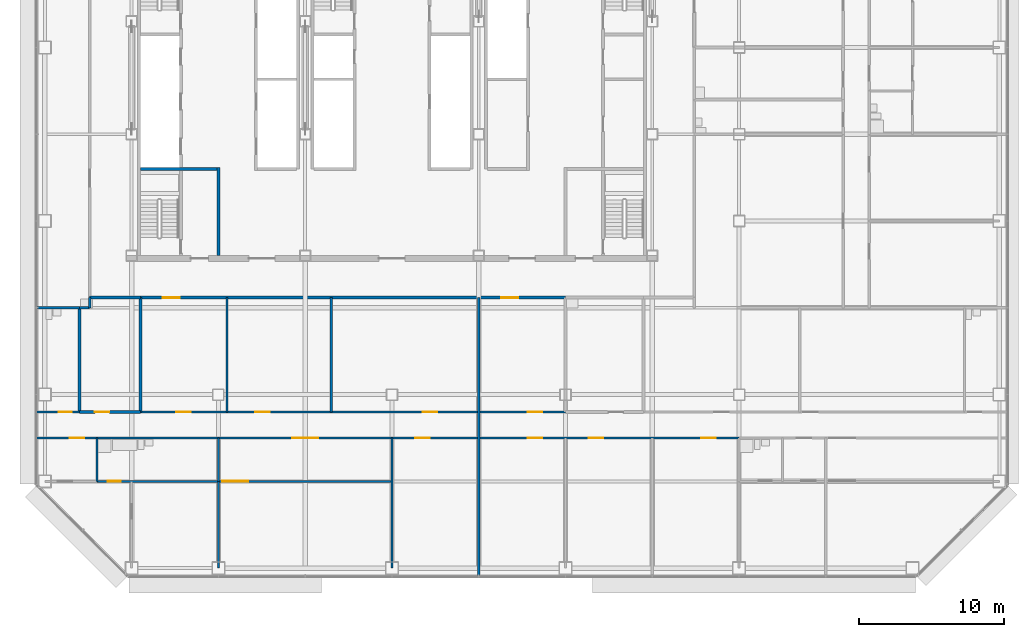
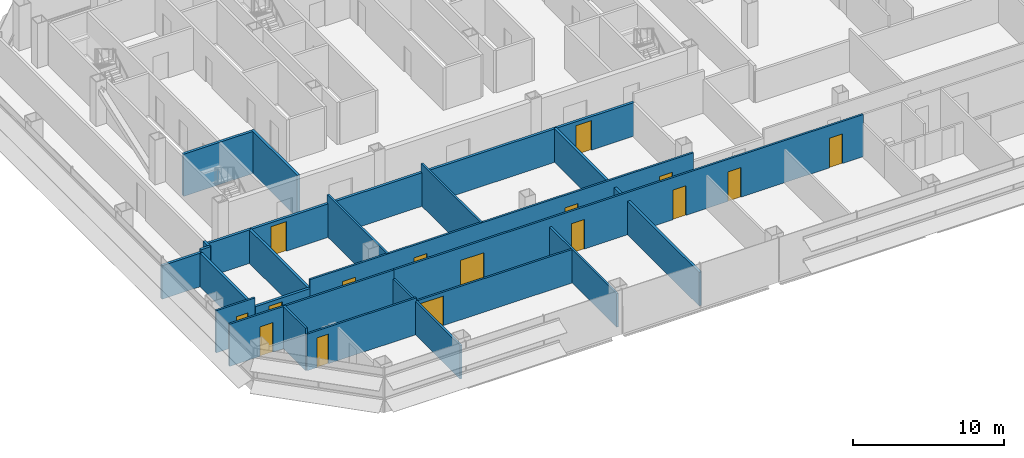
# One storey, part 20 of 27: 24 walls, 16 doors, 16 openings.
"""IFC4 building model written with IfcOpenShell, lengths in metres."""

from ifc_helpers import new_model, si_unit, direction, frame, frame_2d, origin, place, context, subcontext, project, spatial, rectangle, extrude, material, layer, layer_set, type_object, element, fill, save


model = new_model("IFC4")

# Units and contexts
model_context = context("Model", 3, precision=1e-05, world=origin(), true_north=direction((0.0, 1.0)))
body_context = subcontext(model_context, "Body", "Model", "MODEL_VIEW")
ifc_project = project(units=[si_unit("LENGTHUNIT", "METRE"), si_unit("AREAUNIT", "SQUARE_METRE"), si_unit("VOLUMEUNIT", "CUBIC_METRE"), si_unit("PLANEANGLEUNIT", "RADIAN"), si_unit("MASSUNIT", "GRAM", prefix="KILO")], contexts=[model_context])

# Site, building, storey
site_placement = place(None, origin())
site = spatial("IfcSite", under=ifc_project, at=site_placement, CompositionType="ELEMENT")
building_placement = place(site_placement, origin())
building = spatial("IfcBuilding", under=site, at=building_placement, Name="Sorahane Residences", CompositionType="ELEMENT")
storey_placement = place(building_placement, frame((0.0, 0.0, 78.60009765625)))
storey = spatial("IfcBuildingStorey", under=building, at=storey_placement, Name="L16", CompositionType="ELEMENT", Elevation=78.60009765625)

# Wall
ifc_material_1 = material(Name="Concrete blockwork C20 wall", Category="masonry")
ifc_layer_1 = layer(ifc_material_1, 0.199951171875)
ifc_layer_set_1 = layer_set([ifc_layer_1], Name="Corridor wall 200 EI 120")
wall_type_1 = type_object("IfcWallType", Name="Corridor wall 200 EI 120", PredefinedType="SOLIDWALL", material=ifc_layer_set_1)
wall_1_placement = place(storey_placement, frame((-0.60009765625, 18.0, 0.0), z_axis=(0.0, 0.0, 1.0), x_axis=(1.0, 0.0, 0.0)))
element("IfcWall", 1, at=wall_1_placement, inside=storey, type_object=wall_type_1, Name="L16 corridor wall", PredefinedType="SOLIDWALL", context=body_context, shape_type="SweptSolid", body=[
    extrude(rectangle(XDim=3.0, YDim=0.199951171875, at=frame_2d((1.5, 0.0))), origin(), (0.0, 0.0, 1.0), 2.719970703125),
])

# Wall, openings, doors
wall_2_placement = place(storey_placement, frame((6.60009765625, 18.699951171875, 0.0), z_axis=(0.0, 0.0, 1.0), x_axis=(1.0, 0.0, 0.0)))
wall_2 = element("IfcWall", 2, at=wall_2_placement, inside=storey, type_object=wall_type_1, Name="L16 corridor wall", PredefinedType="SOLIDWALL", context=body_context, shape_type="SweptSolid", body=[
    extrude(rectangle(XDim=29.39990234375, YDim=0.199951171875, at=frame_2d((14.699951171875, 0.0))), origin(), (0.0, 0.0, 1.0), 2.719970703125),
])
opening_1_placement = place(wall_2_placement, frame((1.5400390625, 0.0, 0.0)))
opening_1 = element("IfcOpeningElement", 3, at=opening_1_placement, cuts=wall_2, Name="Opening L16-38", PredefinedType="OPENING", context=body_context, shape_type="SweptSolid", body=[
    extrude(rectangle(XDim=1.199951171875, YDim=2.39990234375, at=frame_2d((0.60009765625, 1.199951171875))), frame((0.0, 0.10986328125, 0.0), z_axis=(0.0, -1.0, 0.0), x_axis=(1.0, 0.0, 0.0)), (0.0, 0.0, 1.0), 0.219970703125),
])
opening_2_placement = place(wall_2_placement, frame((24.93994140625, 0.0, 0.0)))
opening_2 = element("IfcOpeningElement", 4, at=opening_2_placement, cuts=wall_2, Name="Opening L16-39", PredefinedType="OPENING", context=body_context, shape_type="SweptSolid", body=[
    extrude(rectangle(XDim=1.199951171875, YDim=2.39990234375, at=frame_2d((0.60009765625, 1.199951171875))), frame((0.0, 0.10986328125, 0.0), z_axis=(0.0, -1.0, 0.0), x_axis=(1.0, 0.0, 0.0)), (0.0, 0.0, 1.0), 0.219970703125),
])
ifc_material_2 = material(Name="Timber veneered fire door", Category="wood")
door_type_1 = type_object("IfcDoorType", Name="Flat entrance door 1200x2400 FD60", OperationType="NOTDEFINED", PredefinedType="DOOR", material=ifc_material_2)
door_1_placement = place(opening_1_placement, frame((1.199951171875, 0.0, 0.0), z_axis=(0.0, 0.0, 1.0), x_axis=(-1.0, 0.0, 0.0)))
door_1 = element("IfcDoor", 5, at=door_1_placement, inside=storey, type_object=door_type_1, Name="Flat entrance door L16-38", OperationType="SINGLE_SWING_RIGHT", OverallHeight=2.39990234375, OverallWidth=1.199951171875, PredefinedType="DOOR", context=body_context, shape_type="SweptSolid", body=[
    extrude(rectangle(XDim=1.199951171875, YDim=2.39990234375, at=frame_2d((0.60009765625, 1.199951171875))), frame((0.0, 0.02490234375, 0.0), z_axis=(0.0, -1.0, 0.0), x_axis=(1.0, 0.0, 0.0)), (0.0, 0.0, 1.0), 0.050048828125),
])
fill(opening_1, door_1)
door_2_placement = place(opening_2_placement, frame((1.199951171875, 0.0, 0.0), z_axis=(0.0, 0.0, 1.0), x_axis=(-1.0, 0.0, 0.0)))
door_2 = element("IfcDoor", 6, at=door_2_placement, inside=storey, type_object=door_type_1, Name="Flat entrance door L16-39", OperationType="SINGLE_SWING_LEFT", OverallHeight=2.39990234375, OverallWidth=1.199951171875, PredefinedType="DOOR", context=body_context, shape_type="SweptSolid", body=[
    extrude(rectangle(XDim=1.199951171875, YDim=2.39990234375, at=frame_2d((0.60009765625, 1.199951171875))), frame((0.0, 0.02490234375, 0.0), z_axis=(0.0, -1.0, 0.0), x_axis=(1.0, 0.0, 0.0)), (0.0, 0.0, 1.0), 0.050048828125),
])
fill(opening_2, door_2)

# Walls
ifc_material_3 = material(Name="Concrete C30", Category="concrete")
ifc_layer_2 = layer(ifc_material_3, 0.199951171875)
ifc_layer_set_2 = layer_set([ifc_layer_2], Name="Front room wall 200 EI 120")
wall_type_2 = type_object("IfcWallType", Name="Front room wall 200 EI 120", PredefinedType="PARTITIONING", material=ifc_layer_set_2)
wall_3_placement = place(storey_placement, frame((12.0, 21.60009765625, 0.0), z_axis=(0.0, 0.0, 1.0), x_axis=(0.0, 1.0, 0.0)))
element("IfcWall", 7, at=wall_3_placement, inside=storey, type_object=wall_type_2, Name="L16 front room wall", PredefinedType="PARTITIONING", context=body_context, shape_type="SweptSolid", body=[
    extrude(rectangle(XDim=6.099853515625, YDim=0.199951171875, at=frame_2d((3.0498046875, 0.0))), origin(), (0.0, 0.0, 1.0), 3.419921875),
])
ifc_material_4 = material(Name="Concrete blockwork C20 wall", Category="masonry")
ifc_layer_3 = layer(ifc_material_4, 0.199951171875)
ifc_layer_set_3 = layer_set([ifc_layer_3], Name="Kitchen wall 200 EI 180")
wall_type_3 = type_object("IfcWallType", Name="Kitchen wall 200 EI 180", PredefinedType="SOLIDWALL", material=ifc_layer_set_3)
wall_4_placement = place(storey_placement, frame((2.39990234375, 10.800048828125, 0.0), z_axis=(0.0, 0.0, 1.0), x_axis=(0.0, 1.0, 0.0)))
element("IfcWall", 8, at=wall_4_placement, inside=storey, type_object=wall_type_3, Name="L16 kitchen wall", PredefinedType="SOLIDWALL", context=body_context, shape_type="SweptSolid", body=[
    extrude(rectangle(XDim=7.199951171875, YDim=0.199951171875, at=frame_2d((3.60009765625, 0.0))), origin(), (0.0, 0.0, 1.0), 2.719970703125),
])
wall_5_placement = place(storey_placement, frame((3.10009765625, 18.0, 0.0), z_axis=(0.0, 0.0, 1.0), x_axis=(0.0, 1.0, 0.0)))
element("IfcWall", 9, at=wall_5_placement, inside=storey, type_object=wall_type_3, Name="L16 kitchen wall", PredefinedType="SOLIDWALL", context=body_context, shape_type="SweptSolid", body=[
    extrude(rectangle(XDim=0.699951171875, YDim=0.199951171875, at=frame_2d((0.35009765625, 0.0))), origin(), (0.0, 0.0, 1.0), 2.969970703125),
])
wall_6_placement = place(storey_placement, frame((6.60009765625, 10.800048828125, 0.0), z_axis=(0.0, 0.0, 1.0), x_axis=(0.0, 1.0, 0.0)))
element("IfcWall", 10, at=wall_6_placement, inside=storey, type_object=wall_type_3, Name="L16 kitchen wall", PredefinedType="SOLIDWALL", context=body_context, shape_type="SweptSolid", body=[
    extrude(rectangle(XDim=7.89990234375, YDim=0.199951171875, at=frame_2d((3.949951171875, 0.0))), origin(), (0.0, 0.0, 1.0), 2.719970703125),
])

# Wall, opening, door
wall_7_placement = place(storey_placement, frame((2.39990234375, 10.800048828125, 0.0), z_axis=(0.0, 0.0, 1.0), x_axis=(1.0, 0.0, 0.0)))
wall_7 = element("IfcWall", 11, at=wall_7_placement, inside=storey, type_object=wall_type_3, Name="L16 kitchen wall", PredefinedType="SOLIDWALL", context=body_context, shape_type="SweptSolid", body=[
    extrude(rectangle(XDim=4.2001953125, YDim=0.199951171875, at=frame_2d((2.10009765625, 0.0))), origin(), (0.0, 0.0, 1.0), 2.719970703125),
])
opening_3_placement = place(wall_7_placement, frame((1.06005859375, 0.0, 0.0)))
opening_3 = element("IfcOpeningElement", 12, at=opening_3_placement, cuts=wall_7, Name="Opening L16-03", PredefinedType="OPENING", context=body_context, shape_type="SweptSolid", body=[
    extrude(rectangle(XDim=1.0, YDim=2.39990234375, at=frame_2d((0.5, 1.199951171875))), frame((0.0, 0.10986328125, 0.0), z_axis=(0.0, -1.0, 0.0), x_axis=(1.0, 0.0, 0.0)), (0.0, 0.0, 1.0), 0.219970703125),
])
ifc_material_5 = material(Name="Steel", Category="steel")
door_type_2 = type_object("IfcDoorType", Name="Kitchen door 1000x2400 FD120", OperationType="NOTDEFINED", PredefinedType="DOOR", material=ifc_material_5)
door_3_placement = place(opening_3_placement, origin())
door_3 = element("IfcDoor", 13, at=door_3_placement, inside=storey, type_object=door_type_2, Name="Kitchen door L16-03", OperationType="SINGLE_SWING_RIGHT", OverallHeight=2.39990234375, OverallWidth=1.0, PredefinedType="DOOR", context=body_context, shape_type="SweptSolid", body=[
    extrude(rectangle(XDim=1.0, YDim=2.39990234375, at=frame_2d((0.5, 1.199951171875))), frame((0.0, 0.02490234375, 0.0), z_axis=(0.0, -1.0, 0.0), x_axis=(1.0, 0.0, 0.0)), (0.0, 0.0, 1.0), 0.050048828125),
])
fill(opening_3, door_3)

# Walls
wall_8_placement = place(storey_placement, frame((2.39990234375, 18.0, 0.0), z_axis=(0.0, 0.0, 1.0), x_axis=(1.0, 0.0, 0.0)))
element("IfcWall", 14, at=wall_8_placement, inside=storey, type_object=wall_type_3, Name="L16 kitchen wall", PredefinedType="SOLIDWALL", context=body_context, shape_type="SweptSolid", body=[
    extrude(rectangle(XDim=0.7001953125, YDim=0.199951171875, at=frame_2d((0.35009765625, 0.0))), origin(), (0.0, 0.0, 1.0), 2.969970703125),
])
wall_9_placement = place(storey_placement, frame((3.10009765625, 18.699951171875, 0.0), z_axis=(0.0, 0.0, 1.0), x_axis=(1.0, 0.0, 0.0)))
element("IfcWall", 15, at=wall_9_placement, inside=storey, type_object=wall_type_3, Name="L16 kitchen wall", PredefinedType="SOLIDWALL", context=body_context, shape_type="SweptSolid", body=[
    extrude(rectangle(XDim=3.5, YDim=0.199951171875, at=frame_2d((1.75, 0.0))), origin(), (0.0, 0.0, 1.0), 2.719970703125),
])
ifc_material_6 = material(Name="Gypsum board partition on steel studs", Category="steel")
ifc_layer_4 = layer(ifc_material_6, 0.14990234375)
ifc_layer_set_4 = layer_set([ifc_layer_4], Name="Partition 150 EI 90")
wall_type_4 = type_object("IfcWallType", Name="Partition 150 EI 90", PredefinedType="PARTITIONING", material=ifc_layer_set_4)
wall_10_placement = place(storey_placement, frame((12.0, 0.0, 0.0), z_axis=(0.0, 0.0, 1.0), x_axis=(0.0, 1.0, 0.0)))
element("IfcWall", 16, at=wall_10_placement, inside=storey, type_object=wall_type_4, Name="L16 partition", PredefinedType="PARTITIONING", context=body_context, shape_type="SweptSolid", body=[
    extrude(rectangle(XDim=6.0, YDim=0.14990234375, at=frame_2d((3.0, 0.0))), origin(), (0.0, 0.0, 1.0), 2.719970703125),
])
for number, where, z_axis, x_axis, name in (
    (17, (12.60009765625, 10.800048828125, 0.0), (0.0, 0.0, 1.0), (0.0, 1.0, 0.0), "L16 partition"),
    (18, (19.800048828125, 10.800048828125, 0.0), (0.0, 0.0, 1.0), (0.0, 1.0, 0.0), "L16 partition"),
):
    element("IfcWall", number, at=place(storey_placement, frame(where, z_axis=z_axis, x_axis=x_axis)), inside=storey, type_object=wall_type_4, Name=name, PredefinedType="PARTITIONING", context=body_context, shape_type="SweptSolid", body=[
        extrude(rectangle(XDim=7.89990234375, YDim=0.14990234375, at=frame_2d((3.949951171875, 0.0))), origin(), (0.0, 0.0, 1.0), 3.419921875),
    ])
wall_11_placement = place(storey_placement, frame((24.0, 0.0, 0.0), z_axis=(0.0, 0.0, 1.0), x_axis=(0.0, 1.0, 0.0)))
element("IfcWall", 19, at=wall_11_placement, inside=storey, type_object=wall_type_4, Name="L16 partition", PredefinedType="PARTITIONING", context=body_context, shape_type="SweptSolid", body=[
    extrude(rectangle(XDim=9.0, YDim=0.14990234375, at=frame_2d((4.5, 0.0))), origin(), (0.0, 0.0, 1.0), 2.719970703125),
])

# Wall, openings, doors
wall_12_placement = place(storey_placement, frame((6.60009765625, 10.800048828125, 0.0), z_axis=(0.0, 0.0, 1.0), x_axis=(1.0, 0.0, 0.0)))
wall_12 = element("IfcWall", 20, at=wall_12_placement, inside=storey, type_object=wall_type_4, Name="L16 partition", PredefinedType="PARTITIONING", context=body_context, shape_type="SweptSolid", body=[
    extrude(rectangle(XDim=29.39990234375, YDim=0.14990234375, at=frame_2d((14.699951171875, 0.0))), origin(), (0.0, 0.0, 1.0), 3.419921875),
])
opening_4_placement = place(wall_12_placement, frame((2.5, 0.0, 0.0)))
opening_4 = element("IfcOpeningElement", 21, at=opening_4_placement, cuts=wall_12, Name="Opening L16-01", PredefinedType="OPENING", context=body_context, shape_type="SweptSolid", body=[
    extrude(rectangle(XDim=1.0, YDim=2.39990234375, at=frame_2d((0.5, 1.199951171875))), frame((0.0, 0.0849609375, 0.0), z_axis=(0.0, -1.0, 0.0), x_axis=(1.0, 0.0, 0.0)), (0.0, 0.0, 1.0), 0.169921875),
])
opening_5_placement = place(wall_12_placement, frame((7.9599609375, 0.0, 0.0)))
opening_5 = element("IfcOpeningElement", 22, at=opening_5_placement, cuts=wall_12, Name="Opening L16-04", PredefinedType="OPENING", context=body_context, shape_type="SweptSolid", body=[
    extrude(rectangle(XDim=1.0, YDim=2.39990234375, at=frame_2d((0.5, 1.199951171875))), frame((0.0, 0.0849609375, 0.0), z_axis=(0.0, -1.0, 0.0), x_axis=(1.0, 0.0, 0.0)), (0.0, 0.0, 1.0), 0.169921875),
])
opening_6_placement = place(wall_12_placement, frame((19.5400390625, 0.0, 0.0)))
opening_6 = element("IfcOpeningElement", 23, at=opening_6_placement, cuts=wall_12, Name="Opening L16-05", PredefinedType="OPENING", context=body_context, shape_type="SweptSolid", body=[
    extrude(rectangle(XDim=1.0, YDim=2.39990234375, at=frame_2d((0.5, 1.199951171875))), frame((0.0, 0.0849609375, 0.0), z_axis=(0.0, -1.0, 0.0), x_axis=(1.0, 0.0, 0.0)), (0.0, 0.0, 1.0), 0.169921875),
])
opening_7_placement = place(wall_12_placement, frame((26.800048828125, 0.0, 0.0)))
opening_7 = element("IfcOpeningElement", 24, at=opening_7_placement, cuts=wall_12, Name="Opening L16-13", PredefinedType="OPENING", context=body_context, shape_type="SweptSolid", body=[
    extrude(rectangle(XDim=1.0, YDim=2.39990234375, at=frame_2d((0.5, 1.199951171875))), frame((0.0, 0.0849609375, 0.0), z_axis=(0.0, -1.0, 0.0), x_axis=(1.0, 0.0, 0.0)), (0.0, 0.0, 1.0), 0.169921875),
])
ifc_material_7 = material(Name="Timber veneered fire door", Category="wood")
door_type_3 = type_object("IfcDoorType", Name="Room door 1000x2400 FD30", OperationType="NOTDEFINED", PredefinedType="DOOR", material=ifc_material_7)
door_4_placement = place(opening_4_placement, frame((1.0, 0.0, 0.0), z_axis=(0.0, 0.0, 1.0), x_axis=(-1.0, 0.0, 0.0)))
door_4 = element("IfcDoor", 25, at=door_4_placement, inside=storey, type_object=door_type_3, Name="Room door L16-01", OperationType="SINGLE_SWING_LEFT", OverallHeight=2.39990234375, OverallWidth=1.0, PredefinedType="DOOR", context=body_context, shape_type="SweptSolid", body=[
    extrude(rectangle(XDim=1.0, YDim=2.39990234375, at=frame_2d((0.5, 1.199951171875))), frame((0.0, 0.02490234375, 0.0), z_axis=(0.0, -1.0, 0.0), x_axis=(1.0, 0.0, 0.0)), (0.0, 0.0, 1.0), 0.050048828125),
])
fill(opening_4, door_4)
door_5_placement = place(opening_5_placement, origin())
door_5 = element("IfcDoor", 26, at=door_5_placement, inside=storey, type_object=door_type_3, Name="Room door L16-04", OperationType="SINGLE_SWING_RIGHT", OverallHeight=2.39990234375, OverallWidth=1.0, PredefinedType="DOOR", context=body_context, shape_type="SweptSolid", body=[
    extrude(rectangle(XDim=1.0, YDim=2.39990234375, at=frame_2d((0.5, 1.199951171875))), frame((0.0, 0.02490234375, 0.0), z_axis=(0.0, -1.0, 0.0), x_axis=(1.0, 0.0, 0.0)), (0.0, 0.0, 1.0), 0.050048828125),
])
fill(opening_5, door_5)
door_6_placement = place(opening_6_placement, origin())
door_6 = element("IfcDoor", 27, at=door_6_placement, inside=storey, type_object=door_type_3, Name="Room door L16-05", OperationType="SINGLE_SWING_LEFT", OverallHeight=2.39990234375, OverallWidth=1.0, PredefinedType="DOOR", context=body_context, shape_type="SweptSolid", body=[
    extrude(rectangle(XDim=1.0, YDim=2.39990234375, at=frame_2d((0.5, 1.199951171875))), frame((0.0, 0.02490234375, 0.0), z_axis=(0.0, -1.0, 0.0), x_axis=(1.0, 0.0, 0.0)), (0.0, 0.0, 1.0), 0.050048828125),
])
fill(opening_6, door_6)
door_7_placement = place(opening_7_placement, frame((1.0, 0.0, 0.0), z_axis=(0.0, 0.0, 1.0), x_axis=(-1.0, 0.0, 0.0)))
door_7 = element("IfcDoor", 28, at=door_7_placement, inside=storey, type_object=door_type_3, Name="Room door L16-13", OperationType="SINGLE_SWING_LEFT", OverallHeight=2.39990234375, OverallWidth=1.0, PredefinedType="DOOR", context=body_context, shape_type="SweptSolid", body=[
    extrude(rectangle(XDim=1.0, YDim=2.39990234375, at=frame_2d((0.5, 1.199951171875))), frame((0.0, 0.02490234375, 0.0), z_axis=(0.0, -1.0, 0.0), x_axis=(1.0, 0.0, 0.0)), (0.0, 0.0, 1.0), 0.050048828125),
])
fill(opening_7, door_7)

# Wall, opening, door
wall_13_placement = place(storey_placement, frame((12.0, 6.0, 0.0), z_axis=(0.0, 0.0, 1.0), x_axis=(1.0, 0.0, 0.0)))
wall_13 = element("IfcWall", 29, at=wall_13_placement, inside=storey, type_object=wall_type_4, Name="L16 partition", PredefinedType="PARTITIONING", context=body_context, shape_type="SweptSolid", body=[
    extrude(rectangle(XDim=12.0, YDim=0.14990234375, at=frame_2d((6.0, 0.0))), origin(), (0.0, 0.0, 1.0), 2.719970703125),
])
opening_8_placement = place(wall_13_placement, frame((0.25, 0.0, 0.0)))
opening_8 = element("IfcOpeningElement", 30, at=opening_8_placement, cuts=wall_13, Name="Opening L16-12", PredefinedType="OPENING", context=body_context, shape_type="SweptSolid", body=[
    extrude(rectangle(XDim=1.800048828125, YDim=2.39990234375, at=frame_2d((0.89990234375, 1.199951171875))), frame((0.0, 0.0849609375, 0.0), z_axis=(0.0, -1.0, 0.0), x_axis=(1.0, 0.0, 0.0)), (0.0, 0.0, 1.0), 0.169921875),
])
ifc_material_8 = material(Name="Timber veneered fire door", Category="wood")
door_type_4 = type_object("IfcDoorType", Name="Double door 1800x2400 FD30", OperationType="NOTDEFINED", PredefinedType="DOOR", material=ifc_material_8)
door_8_placement = place(opening_8_placement, frame((1.800048828125, 0.0, 0.0), z_axis=(0.0, 0.0, 1.0), x_axis=(-1.0, 0.0, 0.0)))
door_8 = element("IfcDoor", 31, at=door_8_placement, inside=storey, type_object=door_type_4, Name="Double door L16-12", OperationType="SINGLE_SWING_RIGHT", OverallHeight=2.39990234375, OverallWidth=1.800048828125, PredefinedType="DOOR", context=body_context, shape_type="SweptSolid", body=[
    extrude(rectangle(XDim=1.800048828125, YDim=2.39990234375, at=frame_2d((0.89990234375, 1.199951171875))), frame((0.0, 0.02490234375, 0.0), z_axis=(0.0, -1.0, 0.0), x_axis=(1.0, 0.0, 0.0)), (0.0, 0.0, 1.0), 0.050048828125),
])
fill(opening_8, door_8)

wall_14_placement = place(storey_placement, frame((-0.60009765625, 9.0, 0.0), z_axis=(0.0, 0.0, 1.0), x_axis=(1.0, 0.0, 0.0)))
wall_14 = element("IfcWall", 32, at=wall_14_placement, inside=storey, type_object=wall_type_4, Name="L16 partition", PredefinedType="PARTITIONING", context=body_context, shape_type="SweptSolid", body=[
    extrude(rectangle(XDim=4.2001953125, YDim=0.14990234375, at=frame_2d((2.10009765625, 0.0))), origin(), (0.0, 0.0, 1.0), 3.419921875),
])
opening_9_placement = place(wall_14_placement, frame((2.320068359375, 0.0, 0.0)))
opening_9 = element("IfcOpeningElement", 33, at=opening_9_placement, cuts=wall_14, Name="Opening L16-06", PredefinedType="OPENING", context=body_context, shape_type="SweptSolid", body=[
    extrude(rectangle(XDim=1.0, YDim=2.39990234375, at=frame_2d((0.5, 1.199951171875))), frame((0.0, 0.0849609375, 0.0), z_axis=(0.0, -1.0, 0.0), x_axis=(1.0, 0.0, 0.0)), (0.0, 0.0, 1.0), 0.169921875),
])
door_9_placement = place(opening_9_placement, frame((1.0, 0.0, 0.0), z_axis=(0.0, 0.0, 1.0), x_axis=(-1.0, 0.0, 0.0)))
door_9 = element("IfcDoor", 34, at=door_9_placement, inside=storey, type_object=door_type_3, Name="Room door L16-06", OperationType="SINGLE_SWING_LEFT", OverallHeight=2.39990234375, OverallWidth=1.0, PredefinedType="DOOR", context=body_context, shape_type="SweptSolid", body=[
    extrude(rectangle(XDim=1.0, YDim=2.39990234375, at=frame_2d((0.5, 1.199951171875))), frame((0.0, 0.02490234375, 0.0), z_axis=(0.0, -1.0, 0.0), x_axis=(1.0, 0.0, 0.0)), (0.0, 0.0, 1.0), 0.050048828125),
])
fill(opening_9, door_9)

# Wall, openings, doors
wall_15_placement = place(storey_placement, frame((12.0, 9.0, 0.0), z_axis=(0.0, 0.0, 1.0), x_axis=(1.0, 0.0, 0.0)))
wall_15 = element("IfcWall", 35, at=wall_15_placement, inside=storey, type_object=wall_type_4, Name="L16 partition", PredefinedType="PARTITIONING", context=body_context, shape_type="SweptSolid", body=[
    extrude(rectangle(XDim=36.0, YDim=0.14990234375, at=frame_2d((18.0, 0.0))), origin(), (0.0, 0.0, 1.0), 3.419921875),
])
opening_10_placement = place(wall_15_placement, frame((5.10009765625, 0.0, 0.0)))
opening_10 = element("IfcOpeningElement", 36, at=opening_10_placement, cuts=wall_15, Name="Opening L16-07", PredefinedType="OPENING", context=body_context, shape_type="SweptSolid", body=[
    extrude(rectangle(XDim=1.800048828125, YDim=2.39990234375, at=frame_2d((0.89990234375, 1.199951171875))), frame((0.0, 0.0849609375, 0.0), z_axis=(0.0, -1.0, 0.0), x_axis=(1.0, 0.0, 0.0)), (0.0, 0.0, 1.0), 0.169921875),
])
opening_11_placement = place(wall_15_placement, frame((13.60009765625, 0.0, 0.0)))
opening_11 = element("IfcOpeningElement", 37, at=opening_11_placement, cuts=wall_15, Name="Opening L16-08", PredefinedType="OPENING", context=body_context, shape_type="SweptSolid", body=[
    extrude(rectangle(XDim=1.0, YDim=2.39990234375, at=frame_2d((0.5, 1.199951171875))), frame((0.0, 0.0849609375, 0.0), z_axis=(0.0, -1.0, 0.0), x_axis=(1.0, 0.0, 0.0)), (0.0, 0.0, 1.0), 0.169921875),
])
opening_12_placement = place(wall_15_placement, frame((21.39990234375, 0.0, 0.0)))
opening_12 = element("IfcOpeningElement", 38, at=opening_12_placement, cuts=wall_15, Name="Opening L16-18", PredefinedType="OPENING", context=body_context, shape_type="SweptSolid", body=[
    extrude(rectangle(XDim=1.0, YDim=2.39990234375, at=frame_2d((0.5, 1.199951171875))), frame((0.0, 0.0849609375, 0.0), z_axis=(0.0, -1.0, 0.0), x_axis=(1.0, 0.0, 0.0)), (0.0, 0.0, 1.0), 0.169921875),
])
opening_13_placement = place(wall_15_placement, frame((25.60009765625, 0.0, 0.0)))
opening_13 = element("IfcOpeningElement", 39, at=opening_13_placement, cuts=wall_15, Name="Opening L16-19", PredefinedType="OPENING", context=body_context, shape_type="SweptSolid", body=[
    extrude(rectangle(XDim=1.0, YDim=2.39990234375, at=frame_2d((0.5, 1.199951171875))), frame((0.0, 0.0849609375, 0.0), z_axis=(0.0, -1.0, 0.0), x_axis=(1.0, 0.0, 0.0)), (0.0, 0.0, 1.0), 0.169921875),
])
opening_14_placement = place(wall_15_placement, frame((33.39990234375, 0.0, 0.0)))
opening_14 = element("IfcOpeningElement", 40, at=opening_14_placement, cuts=wall_15, Name="Opening L16-20", PredefinedType="OPENING", context=body_context, shape_type="SweptSolid", body=[
    extrude(rectangle(XDim=1.0, YDim=2.39990234375, at=frame_2d((0.5, 1.199951171875))), frame((0.0, 0.0849609375, 0.0), z_axis=(0.0, -1.0, 0.0), x_axis=(1.0, 0.0, 0.0)), (0.0, 0.0, 1.0), 0.169921875),
])
door_10_placement = place(opening_10_placement, frame((1.800048828125, 0.0, 0.0), z_axis=(0.0, 0.0, 1.0), x_axis=(-1.0, 0.0, 0.0)))
door_10 = element("IfcDoor", 41, at=door_10_placement, inside=storey, type_object=door_type_4, Name="Double door L16-07", OperationType="SINGLE_SWING_LEFT", OverallHeight=2.39990234375, OverallWidth=1.800048828125, PredefinedType="DOOR", context=body_context, shape_type="SweptSolid", body=[
    extrude(rectangle(XDim=1.800048828125, YDim=2.39990234375, at=frame_2d((0.89990234375, 1.199951171875))), frame((0.0, 0.02490234375, 0.0), z_axis=(0.0, -1.0, 0.0), x_axis=(1.0, 0.0, 0.0)), (0.0, 0.0, 1.0), 0.050048828125),
])
fill(opening_10, door_10)
door_11_placement = place(opening_11_placement, frame((1.0, 0.0, 0.0), z_axis=(0.0, 0.0, 1.0), x_axis=(-1.0, 0.0, 0.0)))
door_11 = element("IfcDoor", 42, at=door_11_placement, inside=storey, type_object=door_type_3, Name="Room door L16-08", OperationType="SINGLE_SWING_LEFT", OverallHeight=2.39990234375, OverallWidth=1.0, PredefinedType="DOOR", context=body_context, shape_type="SweptSolid", body=[
    extrude(rectangle(XDim=1.0, YDim=2.39990234375, at=frame_2d((0.5, 1.199951171875))), frame((0.0, 0.02490234375, 0.0), z_axis=(0.0, -1.0, 0.0), x_axis=(1.0, 0.0, 0.0)), (0.0, 0.0, 1.0), 0.050048828125),
])
fill(opening_11, door_11)
door_12_placement = place(opening_12_placement, frame((1.0, 0.0, 0.0), z_axis=(0.0, 0.0, 1.0), x_axis=(-1.0, 0.0, 0.0)))
door_12 = element("IfcDoor", 43, at=door_12_placement, inside=storey, type_object=door_type_3, Name="Room door L16-18", OperationType="SINGLE_SWING_RIGHT", OverallHeight=2.39990234375, OverallWidth=1.0, PredefinedType="DOOR", context=body_context, shape_type="SweptSolid", body=[
    extrude(rectangle(XDim=1.0, YDim=2.39990234375, at=frame_2d((0.5, 1.199951171875))), frame((0.0, 0.02490234375, 0.0), z_axis=(0.0, -1.0, 0.0), x_axis=(1.0, 0.0, 0.0)), (0.0, 0.0, 1.0), 0.050048828125),
])
fill(opening_12, door_12)
door_13_placement = place(opening_13_placement, frame((1.0, 0.0, 0.0), z_axis=(0.0, 0.0, 1.0), x_axis=(-1.0, 0.0, 0.0)))
door_13 = element("IfcDoor", 44, at=door_13_placement, inside=storey, type_object=door_type_3, Name="Room door L16-19", OperationType="SINGLE_SWING_LEFT", OverallHeight=2.39990234375, OverallWidth=1.0, PredefinedType="DOOR", context=body_context, shape_type="SweptSolid", body=[
    extrude(rectangle(XDim=1.0, YDim=2.39990234375, at=frame_2d((0.5, 1.199951171875))), frame((0.0, 0.02490234375, 0.0), z_axis=(0.0, -1.0, 0.0), x_axis=(1.0, 0.0, 0.0)), (0.0, 0.0, 1.0), 0.050048828125),
])
fill(opening_13, door_13)
door_14_placement = place(opening_14_placement, frame((1.0, 0.0, 0.0), z_axis=(0.0, 0.0, 1.0), x_axis=(-1.0, 0.0, 0.0)))
door_14 = element("IfcDoor", 45, at=door_14_placement, inside=storey, type_object=door_type_3, Name="Room door L16-20", OperationType="SINGLE_SWING_LEFT", OverallHeight=2.39990234375, OverallWidth=1.0, PredefinedType="DOOR", context=body_context, shape_type="SweptSolid", body=[
    extrude(rectangle(XDim=1.0, YDim=2.39990234375, at=frame_2d((0.5, 1.199951171875))), frame((0.0, 0.02490234375, 0.0), z_axis=(0.0, -1.0, 0.0), x_axis=(1.0, 0.0, 0.0)), (0.0, 0.0, 1.0), 0.050048828125),
])
fill(opening_14, door_14)

# Walls
ifc_material_9 = material(Name="Concrete blockwork C20 wall", Category="masonry")
ifc_layer_5 = layer(ifc_material_9, 0.199951171875)
ifc_layer_set_5 = layer_set([ifc_layer_5], Name="Party wall 200 EI 120")
wall_type_5 = type_object("IfcWallType", Name="Party wall 200 EI 120", PredefinedType="SOLIDWALL", material=ifc_layer_set_5)
wall_16_placement = place(storey_placement, frame((30.0, -0.60009765625, 0.0), z_axis=(0.0, 0.0, 1.0), x_axis=(0.0, 1.0, 0.0)))
element("IfcWall", 46, at=wall_16_placement, inside=storey, type_object=wall_type_5, Name="L16 party wall", PredefinedType="SOLIDWALL", context=body_context, shape_type="SweptSolid", body=[
    extrude(rectangle(XDim=19.300048828125, YDim=0.199951171875, at=frame_2d((9.64990234375, 0.0))), origin(), (0.0, 0.0, 1.0), 2.719970703125),
])
ifc_material_10 = material(Name="Concrete C30", Category="concrete")
ifc_layer_6 = layer(ifc_material_10, 0.199951171875)
ifc_layer_set_6 = layer_set([ifc_layer_6], Name="Stair enclosure wall 200 EI 120")
wall_type_6 = type_object("IfcWallType", Name="Stair enclosure wall 200 EI 120", PredefinedType="SOLIDWALL", material=ifc_layer_set_6)
wall_17_placement = place(storey_placement, frame((6.60009765625, 27.60009765625, 0.0), z_axis=(0.0, 0.0, 1.0), x_axis=(1.0, 0.0, 0.0)))
element("IfcWall", 47, at=wall_17_placement, inside=storey, type_object=wall_type_6, Name="L16 stair enclosure wall", PredefinedType="SOLIDWALL", context=body_context, shape_type="SweptSolid", body=[
    extrude(rectangle(XDim=5.2998046875, YDim=0.199951171875, at=frame_2d((2.64990234375, 0.0))), origin(), (0.0, 0.0, 1.0), 3.419921875),
])
ifc_material_11 = material(Name="Gypsum board partition on steel studs", Category="steel")
ifc_layer_7 = layer(ifc_material_11, 0.14990234375)
ifc_layer_set_7 = layer_set([ifc_layer_7], Name="Wet wall 150 EI 90")
wall_type_7 = type_object("IfcWallType", Name="Wet wall 150 EI 90", PredefinedType="PARTITIONING", material=ifc_layer_set_7)
wall_18_placement = place(storey_placement, frame((12.0, 6.0, 0.0), z_axis=(0.0, 0.0, 1.0), x_axis=(0.0, 1.0, 0.0)))
element("IfcWall", 48, at=wall_18_placement, inside=storey, type_object=wall_type_7, Name="L16 wet wall", PredefinedType="PARTITIONING", context=body_context, shape_type="SweptSolid", body=[
    extrude(rectangle(XDim=3.0, YDim=0.14990234375, at=frame_2d((1.5, 0.0))), origin(), (0.0, 0.0, 1.0), 2.719970703125),
])
wall_19_placement = place(storey_placement, frame((3.60009765625, 6.0, 0.0), z_axis=(0.0, 0.0, 1.0), x_axis=(0.0, 1.0, 0.0)))
element("IfcWall", 49, at=wall_19_placement, inside=storey, type_object=wall_type_7, Name="L16 wet wall", PredefinedType="PARTITIONING", context=body_context, shape_type="SweptSolid", body=[
    extrude(rectangle(XDim=3.0, YDim=0.14990234375, at=frame_2d((1.5, 0.0))), origin(), (0.0, 0.0, 1.0), 3.419921875),
])

# Wall, opening, door
wall_20_placement = place(storey_placement, frame((-0.60009765625, 10.800048828125, 0.0), z_axis=(0.0, 0.0, 1.0), x_axis=(1.0, 0.0, 0.0)))
wall_20 = element("IfcWall", 50, at=wall_20_placement, inside=storey, type_object=wall_type_7, Name="L16 wet wall", PredefinedType="PARTITIONING", context=body_context, shape_type="SweptSolid", body=[
    extrude(rectangle(XDim=3.0, YDim=0.14990234375, at=frame_2d((1.5, 0.0))), origin(), (0.0, 0.0, 1.0), 3.419921875),
])
opening_15_placement = place(wall_20_placement, frame((1.550048828125, 0.0, 0.0)))
opening_15 = element("IfcOpeningElement", 51, at=opening_15_placement, cuts=wall_20, Name="Opening L16-02", PredefinedType="OPENING", context=body_context, shape_type="SweptSolid", body=[
    extrude(rectangle(XDim=0.89990234375, YDim=2.39990234375, at=frame_2d((0.449951171875, 1.199951171875))), frame((0.0, 0.0849609375, 0.0), z_axis=(0.0, -1.0, 0.0), x_axis=(1.0, 0.0, 0.0)), (0.0, 0.0, 1.0), 0.169921875),
])
ifc_material_12 = material(Name="Timber veneered fire door", Category="wood")
door_type_5 = type_object("IfcDoorType", Name="Bathroom door 900x2400 FD30", OperationType="NOTDEFINED", PredefinedType="DOOR", material=ifc_material_12)
door_15_placement = place(opening_15_placement, frame((0.89990234375, 0.0, 0.0), z_axis=(0.0, 0.0, 1.0), x_axis=(-1.0, 0.0, 0.0)))
door_15 = element("IfcDoor", 52, at=door_15_placement, inside=storey, type_object=door_type_5, Name="Bathroom door L16-02", OperationType="SINGLE_SWING_LEFT", OverallHeight=2.39990234375, OverallWidth=0.89990234375, PredefinedType="DOOR", context=body_context, shape_type="SweptSolid", body=[
    extrude(rectangle(XDim=0.89990234375, YDim=2.39990234375, at=frame_2d((0.449951171875, 1.199951171875))), frame((0.0, 0.02490234375, 0.0), z_axis=(0.0, -1.0, 0.0), x_axis=(1.0, 0.0, 0.0)), (0.0, 0.0, 1.0), 0.050048828125),
])
fill(opening_15, door_15)

wall_21_placement = place(storey_placement, frame((3.60009765625, 6.0, 0.0), z_axis=(0.0, 0.0, 1.0), x_axis=(1.0, 0.0, 0.0)))
wall_21 = element("IfcWall", 53, at=wall_21_placement, inside=storey, type_object=wall_type_7, Name="L16 wet wall", PredefinedType="PARTITIONING", context=body_context, shape_type="SweptSolid", body=[
    extrude(rectangle(XDim=8.39990234375, YDim=0.14990234375, at=frame_2d((4.199951171875, 0.0))), origin(), (0.0, 0.0, 1.0), 2.969970703125),
])
opening_16_placement = place(wall_21_placement, frame((0.75, 0.0, 0.0)))
opening_16 = element("IfcOpeningElement", 54, at=opening_16_placement, cuts=wall_21, Name="Opening L16-11", PredefinedType="OPENING", context=body_context, shape_type="SweptSolid", body=[
    extrude(rectangle(XDim=0.89990234375, YDim=2.39990234375, at=frame_2d((0.449951171875, 1.199951171875))), frame((0.0, 0.0849609375, 0.0), z_axis=(0.0, -1.0, 0.0), x_axis=(1.0, 0.0, 0.0)), (0.0, 0.0, 1.0), 0.169921875),
])
door_16_placement = place(opening_16_placement, frame((0.89990234375, 0.0, 0.0), z_axis=(0.0, 0.0, 1.0), x_axis=(-1.0, 0.0, 0.0)))
door_16 = element("IfcDoor", 55, at=door_16_placement, inside=storey, type_object=door_type_5, Name="Bathroom door L16-11", OperationType="SINGLE_SWING_RIGHT", OverallHeight=2.39990234375, OverallWidth=0.89990234375, PredefinedType="DOOR", context=body_context, shape_type="SweptSolid", body=[
    extrude(rectangle(XDim=0.89990234375, YDim=2.39990234375, at=frame_2d((0.449951171875, 1.199951171875))), frame((0.0, 0.02490234375, 0.0), z_axis=(0.0, -1.0, 0.0), x_axis=(1.0, 0.0, 0.0)), (0.0, 0.0, 1.0), 0.050048828125),
])
fill(opening_16, door_16)

# Wall
wall_22_placement = place(storey_placement, frame((3.60009765625, 9.0, 0.0), z_axis=(0.0, 0.0, 1.0), x_axis=(1.0, 0.0, 0.0)))
element("IfcWall", 56, at=wall_22_placement, inside=storey, type_object=wall_type_7, Name="L16 wet wall", PredefinedType="PARTITIONING", context=body_context, shape_type="SweptSolid", body=[
    extrude(rectangle(XDim=8.39990234375, YDim=0.14990234375, at=frame_2d((4.199951171875, 0.0))), origin(), (0.0, 0.0, 1.0), 3.419921875),
])

save(model, "model.ifc")
